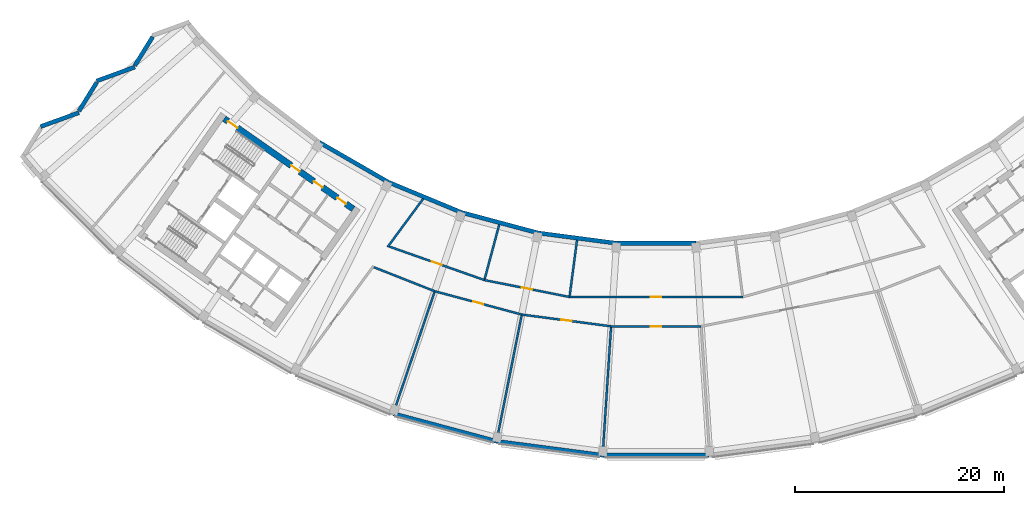
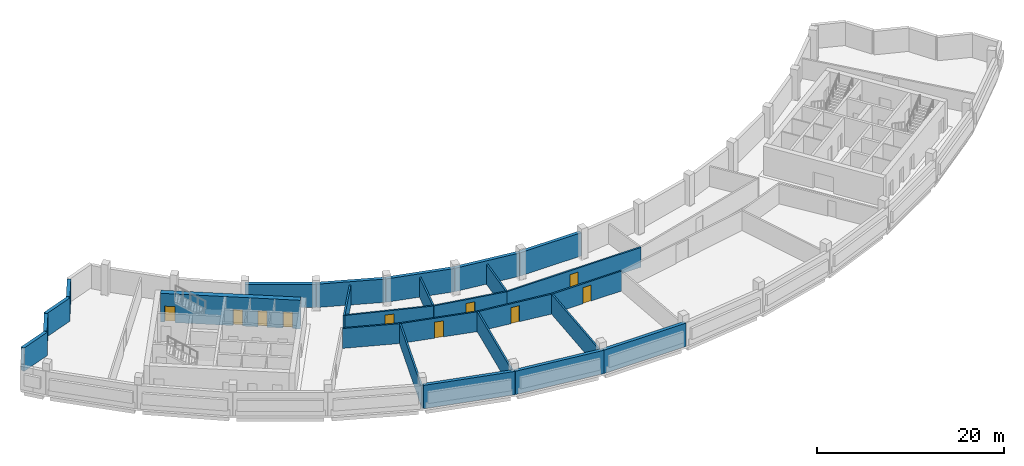
# One storey, part 4 of 12: 26 walls, 10 doors, 10 openings.
"""IFC4 building model written with IfcOpenShell, lengths in metres."""

from ifc_helpers import new_model, si_unit, direction, frame, frame_2d, origin, place, context, subcontext, project, spatial, rectangle, extrude, material, layer, layer_set, type_object, element, fill, save


model = new_model("IFC4")

# Units and contexts
model_context = context("Model", 3, precision=1e-05, world=origin(), true_north=direction((0.0, 1.0)))
body_context = subcontext(model_context, "Body", "Model", "MODEL_VIEW")
ifc_project = project(units=[si_unit("LENGTHUNIT", "METRE"), si_unit("AREAUNIT", "SQUARE_METRE"), si_unit("VOLUMEUNIT", "CUBIC_METRE"), si_unit("PLANEANGLEUNIT", "RADIAN"), si_unit("MASSUNIT", "GRAM", prefix="KILO")], contexts=[model_context])

# Site, building, storey
site_placement = place(None, origin())
site = spatial("IfcSite", under=ifc_project, at=site_placement, CompositionType="ELEMENT")
building_placement = place(site_placement, origin())
building = spatial("IfcBuilding", under=site, at=building_placement, Name="Qamariyya Broadcast Tower", CompositionType="ELEMENT")
storey_placement = place(building_placement, frame((0.0, 0.0, 290.699951171875)))
storey = spatial("IfcBuildingStorey", under=building, at=storey_placement, Name="L70", CompositionType="ELEMENT", Elevation=290.699951171875)

# Wall, openings, doors
ifc_material_1 = material(Name="Concrete C60/75", Category="concrete")
ifc_layer_1 = layer(ifc_material_1, 0.60009765625)
ifc_layer_set_1 = layer_set([ifc_layer_1], Name="Core wall 600 mm Concrete C60/75")
wall_type_1 = type_object("IfcWallType", Name="Core wall 600 mm Concrete C60/75", PredefinedType="SHEAR", material=ifc_layer_set_1)
wall_1_placement = place(storey_placement, frame((-28.940673828125, -54.447021484375, 0.0), z_axis=(0.0, 0.0, 1.0), x_axis=(-0.819153391756, 0.573574511963, 0.0)))
wall_1 = element("IfcWall", 1, at=wall_1_placement, inside=storey, type_object=wall_type_1, Name="k-W-L70-WI", PredefinedType="SHEAR", context=body_context, shape_type="SweptSolid", body=[
    extrude(rectangle(XDim=15.04541015625, YDim=0.60009765625, at=frame_2d((7.522705078125, 0.0))), origin(), (0.0, 0.0, 1.0), 3.75),
])
opening_1_placement = place(wall_1_placement, frame((0.85009765625, 0.0, 0.0)))
opening_1 = element("IfcOpeningElement", 2, at=opening_1_placement, cuts=wall_1, Name="Opening KD4-W4", PredefinedType="OPENING", context=body_context, shape_type="SweptSolid", body=[
    extrude(rectangle(XDim=1.0, YDim=2.10009765625, at=frame_2d((0.5, 1.050048828125))), frame((0.0, 0.31005859375, 0.0), z_axis=(0.0, -1.0, 0.0), x_axis=(1.0, 0.0, 0.0)), (0.0, 0.0, 1.0), 0.6201171875),
])
opening_2_placement = place(wall_1_placement, frame((3.574951171875, 0.0, 0.0)))
opening_2 = element("IfcOpeningElement", 3, at=opening_2_placement, cuts=wall_1, Name="Opening KD4-W5", PredefinedType="OPENING", context=body_context, shape_type="SweptSolid", body=[
    extrude(rectangle(XDim=1.0, YDim=2.10009765625, at=frame_2d((0.5, 1.050048828125))), frame((0.0, 0.31005859375, 0.0), z_axis=(0.0, -1.0, 0.0), x_axis=(1.0, 0.0, 0.0)), (0.0, 0.0, 1.0), 0.6201171875),
])
opening_3_placement = place(wall_1_placement, frame((6.22509765625, 0.0, 0.0)))
opening_3 = element("IfcOpeningElement", 4, at=opening_3_placement, cuts=wall_1, Name="Opening KD4-W6", PredefinedType="OPENING", context=body_context, shape_type="SweptSolid", body=[
    extrude(rectangle(XDim=1.0, YDim=2.10009765625, at=frame_2d((0.5, 1.050048828125))), frame((0.0, 0.31005859375, 0.0), z_axis=(0.0, -1.0, 0.0), x_axis=(1.0, 0.0, 0.0)), (0.0, 0.0, 1.0), 0.6201171875),
])
opening_4_placement = place(wall_1_placement, frame((13.495361328125, 0.0, 0.0)))
opening_4 = element("IfcOpeningElement", 5, at=opening_4_placement, cuts=wall_1, Name="Opening KD1-W1", PredefinedType="OPENING", context=body_context, shape_type="SweptSolid", body=[
    extrude(rectangle(XDim=1.10009765625, YDim=2.10009765625, at=frame_2d((0.550048828125, 1.050048828125))), frame((0.0, 0.31005859375, 0.0), z_axis=(0.0, -1.0, 0.0), x_axis=(1.0, 0.0, 0.0)), (0.0, 0.0, 1.0), 0.6201171875),
])
ifc_material_2 = material(Name="Steel fire-resisting door leaf", Category="steel")
door_type_1 = type_object("IfcDoorType", Name="Riser and plant door KD4", OperationType="SINGLE_SWING_LEFT", PredefinedType="DOOR", material=ifc_material_2)
door_1_placement = place(opening_1_placement, origin())
door_1 = element("IfcDoor", 6, at=door_1_placement, inside=storey, type_object=door_type_1, Name="k-W-L70-WI-D5", OperationType="SINGLE_SWING_RIGHT", OverallHeight=2.10009765625, OverallWidth=1.0, PredefinedType="DOOR", context=body_context, shape_type="SweptSolid", body=[
    extrude(rectangle(XDim=1.0, YDim=2.10009765625, at=frame_2d((0.5, 1.050048828125))), frame((0.0, 0.02490234375, 0.0), z_axis=(0.0, -1.0, 0.0), x_axis=(1.0, 0.0, 0.0)), (0.0, 0.0, 1.0), 0.050048828125),
])
fill(opening_1, door_1)
door_2_placement = place(opening_2_placement, origin())
door_2 = element("IfcDoor", 7, at=door_2_placement, inside=storey, type_object=door_type_1, Name="k-W-L70-WI-D6", OperationType="SINGLE_SWING_LEFT", OverallHeight=2.10009765625, OverallWidth=1.0, PredefinedType="DOOR", context=body_context, shape_type="SweptSolid", body=[
    extrude(rectangle(XDim=1.0, YDim=2.10009765625, at=frame_2d((0.5, 1.050048828125))), frame((0.0, 0.02490234375, 0.0), z_axis=(0.0, -1.0, 0.0), x_axis=(1.0, 0.0, 0.0)), (0.0, 0.0, 1.0), 0.050048828125),
])
fill(opening_2, door_2)
door_3_placement = place(opening_3_placement, origin())
door_3 = element("IfcDoor", 8, at=door_3_placement, inside=storey, type_object=door_type_1, Name="k-W-L70-WI-D7", OperationType="SINGLE_SWING_RIGHT", OverallHeight=2.10009765625, OverallWidth=1.0, PredefinedType="DOOR", context=body_context, shape_type="SweptSolid", body=[
    extrude(rectangle(XDim=1.0, YDim=2.10009765625, at=frame_2d((0.5, 1.050048828125))), frame((0.0, 0.02490234375, 0.0), z_axis=(0.0, -1.0, 0.0), x_axis=(1.0, 0.0, 0.0)), (0.0, 0.0, 1.0), 0.050048828125),
])
fill(opening_3, door_3)
door_type_2 = type_object("IfcDoorType", Name="Stair door KD1", OperationType="SINGLE_SWING_LEFT", PredefinedType="DOOR", material=ifc_material_2)
door_4_placement = place(opening_4_placement, origin())
door_4 = element("IfcDoor", 9, at=door_4_placement, inside=storey, type_object=door_type_2, Name="k-W-L70-WI-D14", OperationType="SINGLE_SWING_RIGHT", OverallHeight=2.10009765625, OverallWidth=1.10009765625, PredefinedType="DOOR", context=body_context, shape_type="SweptSolid", body=[
    extrude(rectangle(XDim=1.10009765625, YDim=2.10009765625, at=frame_2d((0.550048828125, 1.050048828125))), frame((0.0, 0.02490234375, 0.0), z_axis=(0.0, -1.0, 0.0), x_axis=(1.0, 0.0, 0.0)), (0.0, 0.0, 1.0), 0.050048828125),
])
fill(opening_4, door_4)

# Wall
ifc_material_3 = material(Name="Masonry block wall", Category="masonry")
ifc_layer_2 = layer(ifc_material_3, 0.199951171875)
ifc_layer_set_2 = layer_set([ifc_layer_2], Name="Plant room wall 200 EI 120")
wall_type_2 = type_object("IfcWallType", Name="Plant room wall 200 EI 120", PredefinedType="PARTITIONING", material=ifc_layer_set_2)
wall_2_placement = place(storey_placement, frame((-26.96435546875, -60.01611328125, 0.0), z_axis=(0.0, 0.0, 1.0), x_axis=(0.930313487961, -0.366765339309, 0.0)))
element("IfcWall", 10, at=wall_2_placement, inside=storey, type_object=wall_type_2, Name="Partition L70-003", PredefinedType="PARTITIONING", context=body_context, shape_type="SweptSolid", body=[
    extrude(rectangle(XDim=6.249267578125, YDim=0.199951171875, at=frame_2d((3.12451171875, 0.0))), origin(), (0.0, 0.0, 1.0), 2.60009765625),
])

# Wall, opening, door
wall_3_placement = place(storey_placement, frame((-25.50390625, -58.035888671875, 0.0), z_axis=(0.0, 0.0, 1.0), x_axis=(0.943186956549, -0.332262494116, 0.0)))
wall_3 = element("IfcWall", 11, at=wall_3_placement, inside=storey, type_object=wall_type_2, Name="Partition L70-004", PredefinedType="PARTITIONING", context=body_context, shape_type="SweptSolid", body=[
    extrude(rectangle(XDim=9.642578125, YDim=0.199951171875, at=frame_2d((4.8212890625, 0.0))), origin(), (0.0, 0.0, 1.0), 2.60009765625),
])
opening_5_placement = place(wall_3_placement, frame((4.3212890625, 0.0, 0.0)))
opening_5 = element("IfcOpeningElement", 12, at=opening_5_placement, cuts=wall_3, Name="Opening L70-D07", PredefinedType="OPENING", context=body_context, shape_type="SweptSolid", body=[
    extrude(rectangle(XDim=1.0, YDim=2.10009765625, at=frame_2d((0.5, 1.050048828125))), frame((0.0, 0.10986328125, 0.0), z_axis=(0.0, -1.0, 0.0), x_axis=(1.0, 0.0, 0.0)), (0.0, 0.0, 1.0), 0.219970703125),
])
ifc_material_4 = material(Name="Insulated metal door leaf")
door_type_3 = type_object("IfcDoorType", Name="Plant door 1000 x 2100 FD120", OperationType="NOTDEFINED", PredefinedType="DOOR", material=ifc_material_4)
door_5_placement = place(opening_5_placement, origin())
door_5 = element("IfcDoor", 13, at=door_5_placement, inside=storey, type_object=door_type_3, Name="Door L70-D07", OperationType="SINGLE_SWING_RIGHT", OverallHeight=2.10009765625, OverallWidth=1.0, PredefinedType="DOOR", context=body_context, shape_type="SweptSolid", body=[
    extrude(rectangle(XDim=1.0, YDim=2.10009765625, at=frame_2d((0.5, 1.050048828125))), frame((0.0, 0.02490234375, 0.0), z_axis=(0.0, -1.0, 0.0), x_axis=(1.0, 0.0, 0.0)), (0.0, 0.0, 1.0), 0.050048828125),
])
fill(opening_5, door_5)

# Walls
wall_4_placement = place(storey_placement, frame((-25.12060546875, -74.002685546875, 0.0), z_axis=(0.0, 0.0, 1.0), x_axis=(0.321442509406, 0.946929096156, 0.0)))
element("IfcWall", 14, at=wall_4_placement, inside=storey, type_object=wall_type_2, Name="Partition L70-005", PredefinedType="PARTITIONING", context=body_context, shape_type="SweptSolid", body=[
    extrude(rectangle(XDim=12.250244140625, YDim=0.199951171875, at=frame_2d((6.125, 0.0))), origin(), (0.0, 0.0, 1.0), 2.60009765625),
])
wall_5_placement = place(storey_placement, frame((-22.251953125, -53.469482421875, 0.0), z_axis=(0.0, 0.0, 1.0), x_axis=(-0.593885763016, -0.804549377283, 0.0)))
element("IfcWall", 15, at=wall_5_placement, inside=storey, type_object=wall_type_2, Name="Partition L70-006", PredefinedType="PARTITIONING", context=body_context, shape_type="SweptSolid", body=[
    extrude(rectangle(XDim=5.734375, YDim=0.199951171875, at=frame_2d((2.8671875, 0.0))), origin(), (0.0, 0.0, 1.0), 2.60009765625),
])

# Wall, opening, door
wall_6_placement = place(storey_placement, frame((-12.8369140625, -64.53564453125, 0.0), z_axis=(0.0, 0.0, 1.0), x_axis=(-0.965929186451, 0.258806504483, 0.0)))
wall_6 = element("IfcWall", 16, at=wall_6_placement, inside=storey, type_object=wall_type_2, Name="Partition L70-007", PredefinedType="PARTITIONING", context=body_context, shape_type="SweptSolid", body=[
    extrude(rectangle(XDim=8.60693359375, YDim=0.199951171875, at=frame_2d((4.303466796875, 0.0))), origin(), (0.0, 0.0, 1.0), 2.60009765625),
])
opening_6_placement = place(wall_6_placement, frame((3.803466796875, 0.0, 0.0)))
opening_6 = element("IfcOpeningElement", 17, at=opening_6_placement, cuts=wall_6, Name="Opening L70-D02", PredefinedType="OPENING", context=body_context, shape_type="SweptSolid", body=[
    extrude(rectangle(XDim=1.0, YDim=2.10009765625, at=frame_2d((0.5, 1.050048828125))), frame((0.0, 0.10986328125, 0.0), z_axis=(0.0, -1.0, 0.0), x_axis=(1.0, 0.0, 0.0)), (0.0, 0.0, 1.0), 0.219970703125),
])
door_6_placement = place(opening_6_placement, origin())
door_6 = element("IfcDoor", 18, at=door_6_placement, inside=storey, type_object=door_type_3, Name="Door L70-D02", OperationType="SINGLE_SWING_RIGHT", OverallHeight=2.10009765625, OverallWidth=1.0, PredefinedType="DOOR", context=body_context, shape_type="SweptSolid", body=[
    extrude(rectangle(XDim=1.0, YDim=2.10009765625, at=frame_2d((0.5, 1.050048828125))), frame((0.0, 0.02490234375, 0.0), z_axis=(0.0, -1.0, 0.0), x_axis=(1.0, 0.0, 0.0)), (0.0, 0.0, 1.0), 0.050048828125),
])
fill(opening_6, door_6)

wall_7_placement = place(storey_placement, frame((-16.4091796875, -61.23974609375, 0.0), z_axis=(0.0, 0.0, 1.0), x_axis=(0.98078508005, -0.195091329256, 0.0)))
wall_7 = element("IfcWall", 19, at=wall_7_placement, inside=storey, type_object=wall_type_2, Name="Partition L70-008", PredefinedType="PARTITIONING", context=body_context, shape_type="SweptSolid", body=[
    extrude(rectangle(XDim=8.293212890625, YDim=0.199951171875, at=frame_2d((4.146484375, 0.0))), origin(), (0.0, 0.0, 1.0), 2.60009765625),
])
opening_7_placement = place(wall_7_placement, frame((3.646484375, 0.0, 0.0)))
opening_7 = element("IfcOpeningElement", 20, at=opening_7_placement, cuts=wall_7, Name="Opening L70-D08", PredefinedType="OPENING", context=body_context, shape_type="SweptSolid", body=[
    extrude(rectangle(XDim=1.0, YDim=2.10009765625, at=frame_2d((0.5, 1.050048828125))), frame((0.0, 0.10986328125, 0.0), z_axis=(0.0, -1.0, 0.0), x_axis=(1.0, 0.0, 0.0)), (0.0, 0.0, 1.0), 0.219970703125),
])
door_7_placement = place(opening_7_placement, origin())
door_7 = element("IfcDoor", 21, at=door_7_placement, inside=storey, type_object=door_type_3, Name="Door L70-D08", OperationType="SINGLE_SWING_RIGHT", OverallHeight=2.10009765625, OverallWidth=1.0, PredefinedType="DOOR", context=body_context, shape_type="SweptSolid", body=[
    extrude(rectangle(XDim=1.0, YDim=2.10009765625, at=frame_2d((0.5, 1.050048828125))), frame((0.0, 0.02490234375, 0.0), z_axis=(0.0, -1.0, 0.0), x_axis=(1.0, 0.0, 0.0)), (0.0, 0.0, 1.0), 0.050048828125),
])
fill(opening_7, door_7)

# Walls
wall_8_placement = place(storey_placement, frame((-15.246337890625, -76.6484375, 0.0), z_axis=(0.0, 0.0, 1.0), x_axis=(0.195092710304, 0.98078480534, 0.0)))
element("IfcWall", 22, at=wall_8_placement, inside=storey, type_object=wall_type_2, Name="Partition L70-009", PredefinedType="PARTITIONING", context=body_context, shape_type="SweptSolid", body=[
    extrude(rectangle(XDim=12.25, YDim=0.199951171875, at=frame_2d((6.125, 0.0))), origin(), (0.0, 0.0, 1.0), 2.60009765625),
])
wall_9_placement = place(storey_placement, frame((-14.992431640625, -55.952880859375, 0.0), z_axis=(0.0, 0.0, 1.0), x_axis=(-0.258847367931, -0.965918236765, 0.0)))
element("IfcWall", 23, at=wall_9_placement, inside=storey, type_object=wall_type_2, Name="Partition L70-010", PredefinedType="PARTITIONING", context=body_context, shape_type="SweptSolid", body=[
    extrude(rectangle(XDim=5.373291015625, YDim=0.199951171875, at=frame_2d((2.6865234375, 0.0))), origin(), (0.0, 0.0, 1.0), 2.60009765625),
])

# Wall, opening, door
wall_10_placement = place(storey_placement, frame((-4.303466796875, -65.6591796875, 0.0), z_axis=(0.0, 0.0, 1.0), x_axis=(-0.991443575654, 0.130535957862, 0.0)))
wall_10 = element("IfcWall", 24, at=wall_10_placement, inside=storey, type_object=wall_type_2, Name="Partition L70-011", PredefinedType="PARTITIONING", context=body_context, shape_type="SweptSolid", body=[
    extrude(rectangle(XDim=8.607177734375, YDim=0.199951171875, at=frame_2d((4.3037109375, 0.0))), origin(), (0.0, 0.0, 1.0), 2.60009765625),
])
opening_8_placement = place(wall_10_placement, frame((3.803466796875, 0.0, 0.0)))
opening_8 = element("IfcOpeningElement", 25, at=opening_8_placement, cuts=wall_10, Name="Opening L70-D03", PredefinedType="OPENING", context=body_context, shape_type="SweptSolid", body=[
    extrude(rectangle(XDim=1.0, YDim=2.10009765625, at=frame_2d((0.5, 1.050048828125))), frame((0.0, 0.10986328125, 0.0), z_axis=(0.0, -1.0, 0.0), x_axis=(1.0, 0.0, 0.0)), (0.0, 0.0, 1.0), 0.219970703125),
])
door_8_placement = place(opening_8_placement, origin())
door_8 = element("IfcDoor", 26, at=door_8_placement, inside=storey, type_object=door_type_3, Name="Door L70-D03", OperationType="SINGLE_SWING_RIGHT", OverallHeight=2.10009765625, OverallWidth=1.0, PredefinedType="DOOR", context=body_context, shape_type="SweptSolid", body=[
    extrude(rectangle(XDim=1.0, YDim=2.10009765625, at=frame_2d((0.5, 1.050048828125))), frame((0.0, 0.02490234375, 0.0), z_axis=(0.0, -1.0, 0.0), x_axis=(1.0, 0.0, 0.0)), (0.0, 0.0, 1.0), 0.050048828125),
])
fill(opening_8, door_8)

wall_11_placement = place(storey_placement, frame((-8.275390625, -62.857666015625, 0.0), z_axis=(0.0, 0.0, 1.0), x_axis=(1.0, 0.0, 0.0)))
wall_11 = element("IfcWall", 27, at=wall_11_placement, inside=storey, type_object=wall_type_2, Name="Partition L70-012", PredefinedType="PARTITIONING", context=body_context, shape_type="SweptSolid", body=[
    extrude(rectangle(XDim=16.55078125, YDim=0.199951171875, at=frame_2d((8.275390625, 0.0))), origin(), (0.0, 0.0, 1.0), 2.60009765625),
])
opening_9_placement = place(wall_11_placement, frame((7.775390625, 0.0, 0.0)))
opening_9 = element("IfcOpeningElement", 28, at=opening_9_placement, cuts=wall_11, Name="Opening L70-D09", PredefinedType="OPENING", context=body_context, shape_type="SweptSolid", body=[
    extrude(rectangle(XDim=1.0, YDim=2.10009765625, at=frame_2d((0.5, 1.050048828125))), frame((0.0, 0.10986328125, 0.0), z_axis=(0.0, -1.0, 0.0), x_axis=(1.0, 0.0, 0.0)), (0.0, 0.0, 1.0), 0.219970703125),
])
door_9_placement = place(opening_9_placement, origin())
door_9 = element("IfcDoor", 29, at=door_9_placement, inside=storey, type_object=door_type_3, Name="Door L70-D09", OperationType="SINGLE_SWING_RIGHT", OverallHeight=2.10009765625, OverallWidth=1.0, PredefinedType="DOOR", context=body_context, shape_type="SweptSolid", body=[
    extrude(rectangle(XDim=1.0, YDim=2.10009765625, at=frame_2d((0.5, 1.050048828125))), frame((0.0, 0.02490234375, 0.0), z_axis=(0.0, -1.0, 0.0), x_axis=(1.0, 0.0, 0.0)), (0.0, 0.0, 1.0), 0.050048828125),
])
fill(opening_9, door_9)

# Walls
wall_12_placement = place(storey_placement, frame((-7.56103515625, -57.430908203125, 0.0), z_axis=(0.0, 0.0, 1.0), x_axis=(-0.130485069567, -0.991450274406, 0.0)))
element("IfcWall", 30, at=wall_12_placement, inside=storey, type_object=wall_type_2, Name="Partition L70-013", PredefinedType="PARTITIONING", context=body_context, shape_type="SweptSolid", body=[
    extrude(rectangle(XDim=5.37353515625, YDim=0.199951171875, at=frame_2d((2.686767578125, 0.0))), origin(), (0.0, 0.0, 1.0), 2.60009765625),
])
wall_13_placement = place(storey_placement, frame((-5.111328125, -77.982666015625, 0.0), z_axis=(0.0, 0.0, 1.0), x_axis=(0.065409169082, 0.997858527347, 0.0)))
element("IfcWall", 31, at=wall_13_placement, inside=storey, type_object=wall_type_2, Name="Partition L70-014", PredefinedType="PARTITIONING", context=body_context, shape_type="SweptSolid", body=[
    extrude(rectangle(XDim=12.25, YDim=0.199951171875, at=frame_2d((6.125, 0.0))), origin(), (0.0, 0.0, 1.0), 2.60009765625),
])

# Wall, opening, door
wall_14_placement = place(storey_placement, frame((4.303466796875, -65.6591796875, 0.0), z_axis=(0.0, 0.0, 1.0), x_axis=(-1.0, 0.0, 0.0)))
wall_14 = element("IfcWall", 32, at=wall_14_placement, inside=storey, type_object=wall_type_2, Name="Partition L70-015", PredefinedType="PARTITIONING", context=body_context, shape_type="SweptSolid", body=[
    extrude(rectangle(XDim=8.60693359375, YDim=0.199951171875, at=frame_2d((4.303466796875, 0.0))), origin(), (0.0, 0.0, 1.0), 2.60009765625),
])
opening_10_placement = place(wall_14_placement, frame((3.803466796875, 0.0, 0.0)))
opening_10 = element("IfcOpeningElement", 33, at=opening_10_placement, cuts=wall_14, Name="Opening L70-D04", PredefinedType="OPENING", context=body_context, shape_type="SweptSolid", body=[
    extrude(rectangle(XDim=1.0, YDim=2.10009765625, at=frame_2d((0.5, 1.050048828125))), frame((0.0, 0.10986328125, 0.0), z_axis=(0.0, -1.0, 0.0), x_axis=(1.0, 0.0, 0.0)), (0.0, 0.0, 1.0), 0.219970703125),
])
door_10_placement = place(opening_10_placement, origin())
door_10 = element("IfcDoor", 34, at=door_10_placement, inside=storey, type_object=door_type_3, Name="Door L70-D04", OperationType="SINGLE_SWING_RIGHT", OverallHeight=2.10009765625, OverallWidth=1.0, PredefinedType="DOOR", context=body_context, shape_type="SweptSolid", body=[
    extrude(rectangle(XDim=1.0, YDim=2.10009765625, at=frame_2d((0.5, 1.050048828125))), frame((0.0, 0.02490234375, 0.0), z_axis=(0.0, -1.0, 0.0), x_axis=(1.0, 0.0, 0.0)), (0.0, 0.0, 1.0), 0.050048828125),
])
fill(opening_10, door_10)

# Walls
ifc_material_5 = material(Name="Terracotta", Category="masonry")
ifc_layer_3 = layer(ifc_material_5, 0.39990234375)
ifc_layer_set_3 = layer_set([ifc_layer_3], Name="Solid terracotta louvred band wall 400")
wall_type_3 = type_object("IfcWallType", Name="Solid terracotta louvred band wall 400", PredefinedType="SOLIDWALL", material=ifc_layer_set_3)
wall_15_placement = place(storey_placement, frame((-48.104248046875, -38.00341796875, 0.0), z_axis=(0.0, 0.0, 1.0), x_axis=(-0.525678481137, -0.850683333838, 0.0)))
element("IfcWall", 35, at=wall_15_placement, inside=storey, type_object=wall_type_3, Name="e-wl-L70-capW1", PredefinedType="SOLIDWALL", context=body_context, shape_type="SweptSolid", body=[
    extrude(rectangle(XDim=3.220458984375, YDim=0.39990234375, at=frame_2d((1.6103515625, 0.0))), origin(), (0.0, 0.0, 1.0), 3.050048828125),
])
wall_16_placement = place(storey_placement, frame((-49.79638671875, -40.888916015625, 0.0), z_axis=(0.0, 0.0, 1.0), x_axis=(-0.940086069154, -0.340937212083, 0.0)))
element("IfcWall", 36, at=wall_16_placement, inside=storey, type_object=wall_type_3, Name="e-wl-L70-capW2", PredefinedType="SOLIDWALL", context=body_context, shape_type="SweptSolid", body=[
    extrude(rectangle(XDim=3.892578125, YDim=0.39990234375, at=frame_2d((1.9462890625, 0.0))), origin(), (0.0, 0.0, 1.0), 3.050048828125),
])
wall_17_placement = place(storey_placement, frame((-53.454833984375, -42.362060546875, 0.0), z_axis=(0.0, 0.0, 1.0), x_axis=(-0.525649491409, -0.850701247314, 0.0)))
element("IfcWall", 37, at=wall_17_placement, inside=storey, type_object=wall_type_3, Name="e-wl-L70-capW3", PredefinedType="SOLIDWALL", context=body_context, shape_type="SweptSolid", body=[
    extrude(rectangle(XDim=3.21923828125, YDim=0.39990234375, at=frame_2d((1.609619140625, 0.0))), origin(), (0.0, 0.0, 1.0), 3.050048828125),
])
wall_18_placement = place(storey_placement, frame((-55.14599609375, -45.24658203125, 0.0), z_axis=(0.0, 0.0, 1.0), x_axis=(-0.940075029039, -0.340967652099, 0.0)))
element("IfcWall", 38, at=wall_18_placement, inside=storey, type_object=wall_type_3, Name="e-wl-L70-capW4", PredefinedType="SOLIDWALL", context=body_context, shape_type="SweptSolid", body=[
    extrude(rectangle(XDim=3.893798828125, YDim=0.39990234375, at=frame_2d((1.94677734375, 0.0))), origin(), (0.0, 0.0, 1.0), 3.050048828125),
])
wall_19_placement = place(storey_placement, frame((-25.56494140625, -51.89697265625, 0.0), z_axis=(0.0, 0.0, 1.0), x_axis=(-0.866025463095, 0.499999897272, 0.0)))
element("IfcWall", 39, at=wall_19_placement, inside=storey, type_object=wall_type_3, Name="e-wl-L70-in30", PredefinedType="SOLIDWALL", context=body_context, shape_type="SweptSolid", body=[
    extrude(rectangle(XDim=7.6171875, YDim=0.39990234375, at=frame_2d((3.80859375, 0.0))), origin(), (0.0, 0.0, 1.0), 3.050048828125),
])
wall_20_placement = place(storey_placement, frame((-18.642333984375, -54.760986328125, 0.0), z_axis=(0.0, 0.0, 1.0), x_axis=(-0.923872151004, 0.382701252414, 0.0)))
element("IfcWall", 40, at=wall_20_placement, inside=storey, type_object=wall_type_3, Name="e-wl-L70-in40", PredefinedType="SOLIDWALL", context=body_context, shape_type="SweptSolid", body=[
    extrude(rectangle(XDim=7.4658203125, YDim=0.39990234375, at=frame_2d((3.73291015625, 0.0))), origin(), (0.0, 0.0, 1.0), 3.050048828125),
])
wall_21_placement = place(storey_placement, frame((-11.261962890625, -56.745361328125, 0.0), z_axis=(0.0, 0.0, 1.0), x_axis=(-0.965927307138, 0.258813518437, 0.0)))
element("IfcWall", 41, at=wall_21_placement, inside=storey, type_object=wall_type_3, Name="e-wl-L70-in50", PredefinedType="SOLIDWALL", context=body_context, shape_type="SweptSolid", body=[
    extrude(rectangle(XDim=7.6171875, YDim=0.39990234375, at=frame_2d((3.80859375, 0.0))), origin(), (0.0, 0.0, 1.0), 3.050048828125),
])
wall_22_placement = place(storey_placement, frame((-3.833984375, -57.719970703125, 0.0), z_axis=(0.0, 0.0, 1.0), x_axis=(-0.991442493144, 0.130544179452, 0.0)))
element("IfcWall", 42, at=wall_22_placement, inside=storey, type_object=wall_type_3, Name="e-wl-L70-in60", PredefinedType="SOLIDWALL", context=body_context, shape_type="SweptSolid", body=[
    extrude(rectangle(XDim=7.4658203125, YDim=0.39990234375, at=frame_2d((3.73291015625, 0.0))), origin(), (0.0, 0.0, 1.0), 3.050048828125),
])
wall_23_placement = place(storey_placement, frame((3.80859375, -57.7265625, 0.0), z_axis=(0.0, 0.0, 1.0), x_axis=(-1.0, 0.0, 0.0)))
element("IfcWall", 43, at=wall_23_placement, inside=storey, type_object=wall_type_3, Name="e-wl-L70-in70", PredefinedType="SOLIDWALL", context=body_context, shape_type="SweptSolid", body=[
    extrude(rectangle(XDim=7.6171875, YDim=0.39990234375, at=frame_2d((3.80859375, 0.0))), origin(), (0.0, 0.0, 1.0), 3.050048828125),
])
wall_24_placement = place(storey_placement, frame((-25.0712890625, -74.015380859375, 0.0), z_axis=(0.0, 0.0, 1.0), x_axis=(0.965928778267, -0.258808027921, 0.0)))
element("IfcWall", 44, at=wall_24_placement, inside=storey, type_object=wall_type_3, Name="e-wl-L70-out50", PredefinedType="SOLIDWALL", context=body_context, shape_type="SweptSolid", body=[
    extrude(rectangle(XDim=10.120849609375, YDim=0.39990234375, at=frame_2d((5.060546875, 0.0))), origin(), (0.0, 0.0, 1.0), 3.050048828125),
])
wall_25_placement = place(storey_placement, frame((-15.27099609375, -76.644775390625, 0.0), z_axis=(0.0, 0.0, 1.0), x_axis=(0.991444909321, -0.130525828027, 0.0)))
element("IfcWall", 45, at=wall_25_placement, inside=storey, type_object=wall_type_3, Name="e-wl-L70-out60", PredefinedType="SOLIDWALL", context=body_context, shape_type="SweptSolid", body=[
    extrude(rectangle(XDim=10.2724609375, YDim=0.39990234375, at=frame_2d((5.13623046875, 0.0))), origin(), (0.0, 0.0, 1.0), 3.050048828125),
])
wall_26_placement = place(storey_placement, frame((-5.060546875, -77.982177734375, 0.0), z_axis=(0.0, 0.0, 1.0), x_axis=(1.0, 0.0, 0.0)))
element("IfcWall", 46, at=wall_26_placement, inside=storey, type_object=wall_type_3, Name="e-wl-L70-out70", PredefinedType="SOLIDWALL", context=body_context, shape_type="SweptSolid", body=[
    extrude(rectangle(XDim=10.12109375, YDim=0.39990234375, at=frame_2d((5.060546875, 0.0))), origin(), (0.0, 0.0, 1.0), 3.050048828125),
])

save(model, "model.ifc")
